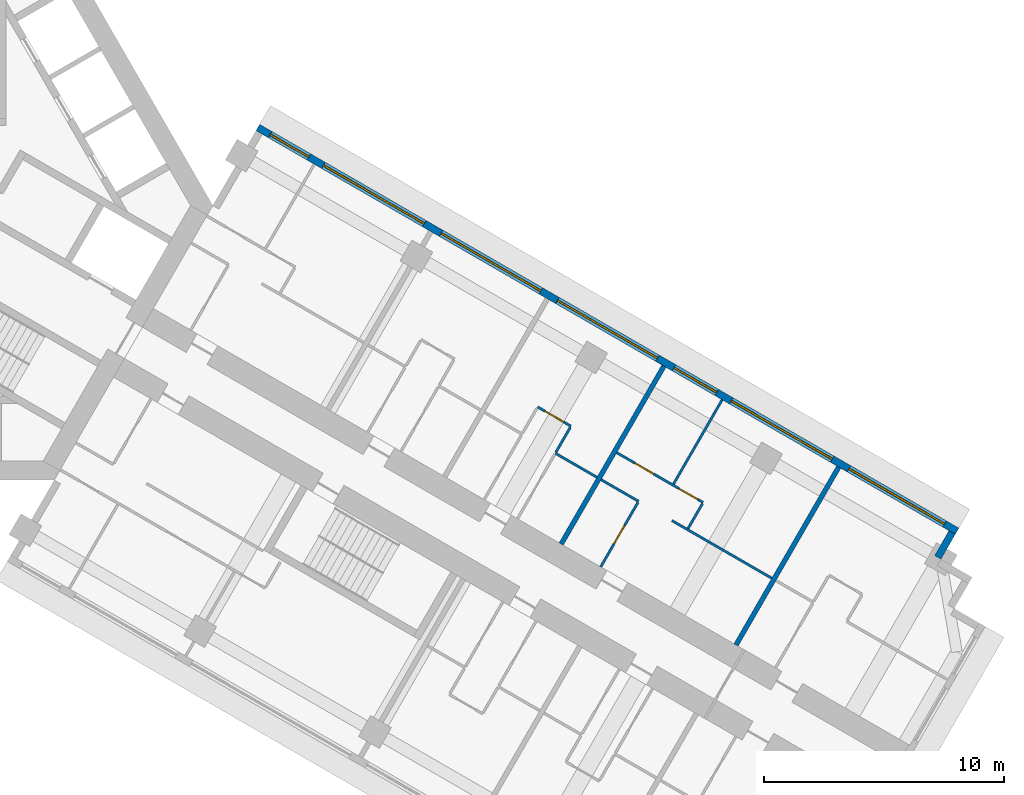
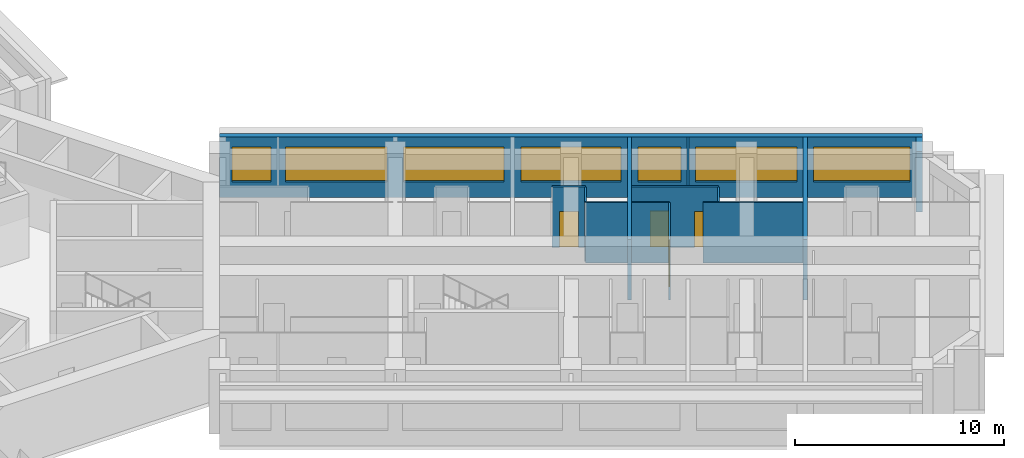
# One storey, part 11 of 13: 13 walls, 7 windows, 4 doors, 11 openings.
"""IFC4 building model written with IfcOpenShell, lengths in metres."""

from ifc_helpers import new_model, si_unit, direction, frame, frame_2d, origin, place, context, subcontext, project, spatial, rectangle, extrude, material, layer, layer_set, type_object, element, fill, save


model = new_model("IFC4")

# Units and contexts
model_context = context("Model", 3, precision=1e-05, world=origin(), true_north=direction((0.0, 1.0)))
body_context = subcontext(model_context, "Body", "Model", "MODEL_VIEW")
ifc_project = project(units=[si_unit("LENGTHUNIT", "METRE"), si_unit("AREAUNIT", "SQUARE_METRE"), si_unit("VOLUMEUNIT", "CUBIC_METRE"), si_unit("PLANEANGLEUNIT", "RADIAN"), si_unit("MASSUNIT", "GRAM", prefix="KILO")], contexts=[model_context])

# Site, building, storey
site_placement = place(None, origin())
site = spatial("IfcSite", under=ifc_project, at=site_placement, CompositionType="ELEMENT")
building_placement = place(site_placement, origin())
building = spatial("IfcBuilding", under=site, at=building_placement, Name="Impinga Residences", CompositionType="ELEMENT")
storey_placement = place(building_placement, frame((0.0, 0.0, 139.75)))
storey = spatial("IfcBuildingStorey", under=building, at=storey_placement, Name="L34", CompositionType="ELEMENT", Elevation=139.75)

# Wall
ifc_material_1 = material(Name="Terracotta rainscreen on blockwork", Category="masonry")
ifc_layer_1 = layer(ifc_material_1, 0.300048828125)
ifc_layer_set_1 = layer_set([ifc_layer_1], Name="EW1 external wall, terracotta rainscreen on blockwork 300")
wall_type_1 = type_object("IfcWallType", Name="EW1 external wall, terracotta rainscreen on blockwork 300", PredefinedType="SOLIDWALL", material=ifc_layer_set_1)
wall_1_placement = place(storey_placement, frame((43.968505859375, -13.607421875, 0.0), z_axis=(0.0, 0.0, 1.0), x_axis=(-0.500029051137, -0.866008630453, 0.0)))
element("IfcWall", 1, at=wall_1_placement, inside=storey, type_object=wall_type_1, Name="External wall EW1 L34", PredefinedType="SOLIDWALL", context=body_context, shape_type="SweptSolid", body=[
    extrude(rectangle(XDim=1.19482421875, YDim=0.300048828125, at=frame_2d((0.597412109375, 0.0))), origin(), (0.0, 0.0, 1.0), 3.530029296875),
])

# Wall, openings, windows
wall_2_placement = place(storey_placement, frame((15.074951171875, 3.24755859375, 0.0), z_axis=(0.0, 0.0, 1.0), x_axis=(0.866024291668, -0.500001926238, 0.0)))
wall_2 = element("IfcWall", 2, at=wall_2_placement, inside=storey, type_object=wall_type_1, Name="External wall EW1 L34", PredefinedType="SOLIDWALL", context=body_context, shape_type="SweptSolid", body=[
    extrude(rectangle(XDim=33.599853515625, YDim=0.300048828125, at=frame_2d((16.7998046875, 0.0))), origin(), (0.0, 0.0, 1.0), 3.530029296875),
])
opening_1_placement = place(wall_2_placement, frame((0.60009765625, 0.0, 0.89990234375)))
opening_1 = element("IfcOpeningElement", 3, at=opening_1_placement, cuts=wall_2, Name="Opening W15", PredefinedType="OPENING", context=body_context, shape_type="SweptSolid", body=[
    extrude(rectangle(XDim=1.85009765625, YDim=2.050048828125, at=frame_2d((0.925048828125, 1.02490234375))), frame((0.0, 0.159912109375, 0.0), z_axis=(0.0, -1.0, 0.0), x_axis=(1.0, 0.0, 0.0)), (0.0, 0.0, 1.0), 0.320068359375),
])
opening_2_placement = place(wall_2_placement, frame((3.14990234375, 0.0, 0.89990234375)))
opening_2 = element("IfcOpeningElement", 4, at=opening_2_placement, cuts=wall_2, Name="Opening W6", PredefinedType="OPENING", context=body_context, shape_type="SweptSolid", body=[
    extrude(rectangle(XDim=4.85009765625, YDim=2.050048828125, at=frame_2d((2.425048828125, 1.02490234375))), frame((0.0, 0.159912109375, 0.0), z_axis=(0.0, -1.0, 0.0), x_axis=(1.0, 0.0, 0.0)), (0.0, 0.0, 1.0), 0.320068359375),
])
opening_3_placement = place(wall_2_placement, frame((8.800048828125, 0.0, 0.89990234375)))
opening_3 = element("IfcOpeningElement", 5, at=opening_3_placement, cuts=wall_2, Name="Opening W8", PredefinedType="OPENING", context=body_context, shape_type="SweptSolid", body=[
    extrude(rectangle(XDim=4.800048828125, YDim=2.050048828125, at=frame_2d((2.39990234375, 1.02490234375))), frame((0.0, 0.159912109375, 0.0), z_axis=(0.0, -1.0, 0.0), x_axis=(1.0, 0.0, 0.0)), (0.0, 0.0, 1.0), 0.320068359375),
])
opening_4_placement = place(wall_2_placement, frame((14.39990234375, 0.0, 0.89990234375)))
opening_4 = element("IfcOpeningElement", 6, at=opening_4_placement, cuts=wall_2, Name="Opening W8", PredefinedType="OPENING", context=body_context, shape_type="SweptSolid", body=[
    extrude(rectangle(XDim=4.800048828125, YDim=2.050048828125, at=frame_2d((2.39990234375, 1.02490234375))), frame((0.0, 0.159912109375, 0.0), z_axis=(0.0, -1.0, 0.0), x_axis=(1.0, 0.0, 0.0)), (0.0, 0.0, 1.0), 0.320068359375),
])
opening_5_placement = place(wall_2_placement, frame((20.0, 0.0, 0.89990234375)))
opening_5 = element("IfcOpeningElement", 7, at=opening_5_placement, cuts=wall_2, Name="Opening W14", PredefinedType="OPENING", context=body_context, shape_type="SweptSolid", body=[
    extrude(rectangle(XDim=2.050048828125, YDim=2.050048828125, at=frame_2d((1.02490234375, 1.02490234375))), frame((0.0, 0.159912109375, 0.0), z_axis=(0.0, -1.0, 0.0), x_axis=(1.0, 0.0, 0.0)), (0.0, 0.0, 1.0), 0.320068359375),
])
opening_6_placement = place(wall_2_placement, frame((22.75, 0.0, 0.89990234375)))
opening_6 = element("IfcOpeningElement", 8, at=opening_6_placement, cuts=wall_2, Name="Opening W6", PredefinedType="OPENING", context=body_context, shape_type="SweptSolid", body=[
    extrude(rectangle(XDim=4.85009765625, YDim=2.050048828125, at=frame_2d((2.425048828125, 1.02490234375))), frame((0.0, 0.159912109375, 0.0), z_axis=(0.0, -1.0, 0.0), x_axis=(1.0, 0.0, 0.0)), (0.0, 0.0, 1.0), 0.320068359375),
])
opening_7_placement = place(wall_2_placement, frame((28.39990234375, 0.0, 0.89990234375)))
opening_7 = element("IfcOpeningElement", 9, at=opening_7_placement, cuts=wall_2, Name="Opening W3", PredefinedType="OPENING", context=body_context, shape_type="SweptSolid", body=[
    extrude(rectangle(XDim=4.60009765625, YDim=2.050048828125, at=frame_2d((2.300048828125, 1.02490234375))), frame((0.0, 0.159912109375, 0.0), z_axis=(0.0, -1.0, 0.0), x_axis=(1.0, 0.0, 0.0)), (0.0, 0.0, 1.0), 0.320068359375),
])
ifc_material_2 = material(Name="Aluminium window, clear double glazing", Category="aluminium")
window_type_1 = type_object("IfcWindowType", Name="W14 ribbon window 2050x2050", PartitioningType="SINGLE_PANEL", PredefinedType="WINDOW", material=ifc_material_2)
window_1_placement = place(opening_5_placement, origin())
window_1 = element("IfcWindow", 10, at=window_1_placement, inside=storey, type_object=window_type_1, Name="Window L34", OverallHeight=2.050048828125, OverallWidth=2.050048828125, PartitioningType="SINGLE_PANEL", PredefinedType="WINDOW", context=body_context, shape_type="SweptSolid", body=[
    extrude(rectangle(XDim=2.050048828125, YDim=2.050048828125, at=frame_2d((1.02490234375, 1.02490234375))), frame((0.0, 0.030029296875, 0.0), z_axis=(0.0, -1.0, 0.0), x_axis=(1.0, 0.0, 0.0)), (0.0, 0.0, 1.0), 0.06005859375),
])
fill(opening_5, window_1)
window_type_2 = type_object("IfcWindowType", Name="W15 ribbon window 1850x2050", PartitioningType="SINGLE_PANEL", PredefinedType="WINDOW", material=ifc_material_2)
window_2_placement = place(opening_1_placement, origin())
window_2 = element("IfcWindow", 11, at=window_2_placement, inside=storey, type_object=window_type_2, Name="Window L34", OverallHeight=2.050048828125, OverallWidth=1.85009765625, PartitioningType="SINGLE_PANEL", PredefinedType="WINDOW", context=body_context, shape_type="SweptSolid", body=[
    extrude(rectangle(XDim=1.85009765625, YDim=2.050048828125, at=frame_2d((0.925048828125, 1.02490234375))), frame((0.0, 0.030029296875, 0.0), z_axis=(0.0, -1.0, 0.0), x_axis=(1.0, 0.0, 0.0)), (0.0, 0.0, 1.0), 0.06005859375),
])
fill(opening_1, window_2)
window_type_3 = type_object("IfcWindowType", Name="W3 ribbon window 4600x2050", PartitioningType="SINGLE_PANEL", PredefinedType="WINDOW", material=ifc_material_2)
window_3_placement = place(opening_7_placement, origin())
window_3 = element("IfcWindow", 12, at=window_3_placement, inside=storey, type_object=window_type_3, Name="Window L34", OverallHeight=2.050048828125, OverallWidth=4.60009765625, PartitioningType="SINGLE_PANEL", PredefinedType="WINDOW", context=body_context, shape_type="SweptSolid", body=[
    extrude(rectangle(XDim=4.60009765625, YDim=2.050048828125, at=frame_2d((2.300048828125, 1.02490234375))), frame((0.0, 0.030029296875, 0.0), z_axis=(0.0, -1.0, 0.0), x_axis=(1.0, 0.0, 0.0)), (0.0, 0.0, 1.0), 0.06005859375),
])
fill(opening_7, window_3)
window_type_4 = type_object("IfcWindowType", Name="W6 ribbon window 4850x2050", PartitioningType="SINGLE_PANEL", PredefinedType="WINDOW", material=ifc_material_2)
window_4_placement = place(opening_2_placement, origin())
window_4 = element("IfcWindow", 13, at=window_4_placement, inside=storey, type_object=window_type_4, Name="Window L34", OverallHeight=2.050048828125, OverallWidth=4.85009765625, PartitioningType="SINGLE_PANEL", PredefinedType="WINDOW", context=body_context, shape_type="SweptSolid", body=[
    extrude(rectangle(XDim=4.85009765625, YDim=2.050048828125, at=frame_2d((2.425048828125, 1.02490234375))), frame((0.0, 0.030029296875, 0.0), z_axis=(0.0, -1.0, 0.0), x_axis=(1.0, 0.0, 0.0)), (0.0, 0.0, 1.0), 0.06005859375),
])
fill(opening_2, window_4)
window_5_placement = place(opening_6_placement, origin())
window_5 = element("IfcWindow", 14, at=window_5_placement, inside=storey, type_object=window_type_4, Name="Window L34", OverallHeight=2.050048828125, OverallWidth=4.85009765625, PartitioningType="SINGLE_PANEL", PredefinedType="WINDOW", context=body_context, shape_type="SweptSolid", body=[
    extrude(rectangle(XDim=4.85009765625, YDim=2.050048828125, at=frame_2d((2.425048828125, 1.02490234375))), frame((0.0, 0.030029296875, 0.0), z_axis=(0.0, -1.0, 0.0), x_axis=(1.0, 0.0, 0.0)), (0.0, 0.0, 1.0), 0.06005859375),
])
fill(opening_6, window_5)
window_type_5 = type_object("IfcWindowType", Name="W8 ribbon window 4800x2050", PartitioningType="SINGLE_PANEL", PredefinedType="WINDOW", material=ifc_material_2)
window_6_placement = place(opening_3_placement, origin())
window_6 = element("IfcWindow", 15, at=window_6_placement, inside=storey, type_object=window_type_5, Name="Window L34", OverallHeight=2.050048828125, OverallWidth=4.800048828125, PartitioningType="SINGLE_PANEL", PredefinedType="WINDOW", context=body_context, shape_type="SweptSolid", body=[
    extrude(rectangle(XDim=4.800048828125, YDim=2.050048828125, at=frame_2d((2.39990234375, 1.02490234375))), frame((0.0, 0.030029296875, 0.0), z_axis=(0.0, -1.0, 0.0), x_axis=(1.0, 0.0, 0.0)), (0.0, 0.0, 1.0), 0.06005859375),
])
fill(opening_3, window_6)
window_7_placement = place(opening_4_placement, origin())
window_7 = element("IfcWindow", 16, at=window_7_placement, inside=storey, type_object=window_type_5, Name="Window L34", OverallHeight=2.050048828125, OverallWidth=4.800048828125, PartitioningType="SINGLE_PANEL", PredefinedType="WINDOW", context=body_context, shape_type="SweptSolid", body=[
    extrude(rectangle(XDim=4.800048828125, YDim=2.050048828125, at=frame_2d((2.39990234375, 1.02490234375))), frame((0.0, 0.030029296875, 0.0), z_axis=(0.0, -1.0, 0.0), x_axis=(1.0, 0.0, 0.0)), (0.0, 0.0, 1.0), 0.06005859375),
])
fill(opening_4, window_7)

# Wall
ifc_material_3 = material(Name="Gypsum board on steel studs", Category="steel")
ifc_layer_2 = layer(ifc_material_3, 0.10009765625)
ifc_layer_set_2 = layer_set([ifc_layer_2], Name="Gypsum board on steel studs")
wall_type_2 = type_object("IfcWallType", Name="IP1 partition 100", PredefinedType="PARTITIONING", material=ifc_layer_set_2)
wall_3_placement = place(storey_placement, frame((27.45556640625, -10.308837890625, 0.0), z_axis=(0.0, 0.0, 1.0), x_axis=(0.866010750942, -0.50002537861, 0.0)))
element("IfcWall", 17, at=wall_3_placement, inside=storey, type_object=wall_type_2, Name="Partition L34-EA3:DIV1", PredefinedType="PARTITIONING", context=body_context, shape_type="SweptSolid", body=[
    extrude(rectangle(XDim=2.0, YDim=0.10009765625, at=frame_2d((1.0, 0.0))), origin(), (0.0, 0.0, 1.0), 3.530029296875),
])

# Wall, opening, door
wall_4_placement = place(storey_placement, frame((26.7197265625, -8.383056640625, 0.0), z_axis=(0.0, 0.0, 1.0), x_axis=(0.866028054938, -0.499995408039, 0.0)))
wall_4 = element("IfcWall", 18, at=wall_4_placement, inside=storey, type_object=wall_type_2, Name="Partition L34-EA3:STRIP", PredefinedType="PARTITIONING", context=body_context, shape_type="SweptSolid", body=[
    extrude(rectangle(XDim=1.60009765625, YDim=0.10009765625, at=frame_2d((0.800048828125, 0.0))), origin(), (0.0, 0.0, 1.0), 3.530029296875),
])
opening_8_placement = place(wall_4_placement, frame((0.35009765625, 0.0, 0.0)))
opening_8 = element("IfcOpeningElement", 19, at=opening_8_placement, cuts=wall_4, Name="Opening D2", PredefinedType="OPENING", context=body_context, shape_type="SweptSolid", body=[
    extrude(rectangle(XDim=0.89990234375, YDim=2.10009765625, at=frame_2d((0.449951171875, 1.050048828125))), frame((0.0, 0.06005859375, 0.0), z_axis=(0.0, -1.0, 0.0), x_axis=(1.0, 0.0, 0.0)), (0.0, 0.0, 1.0), 0.1201171875),
])
ifc_material_4 = material(Name="Timber door set", Category="wood")
door_type = type_object("IfcDoorType", Name="D2 internal door 900x2100", OperationType="SINGLE_SWING_LEFT", PredefinedType="DOOR", material=ifc_material_4)
door_1_placement = place(opening_8_placement, origin())
door_1 = element("IfcDoor", 20, at=door_1_placement, inside=storey, type_object=door_type, Name="Apartment L34-EA3 room door", OperationType="SINGLE_SWING_LEFT", OverallHeight=2.10009765625, OverallWidth=0.89990234375, PredefinedType="DOOR", context=body_context, shape_type="SweptSolid", body=[
    extrude(rectangle(XDim=0.89990234375, YDim=2.10009765625, at=frame_2d((0.449951171875, 1.050048828125))), frame((0.0, 0.02490234375, 0.0), z_axis=(0.0, -1.0, 0.0), x_axis=(1.0, 0.0, 0.0)), (0.0, 0.0, 1.0), 0.050048828125),
])
fill(opening_8, door_1)

# Walls
wall_5_placement = place(storey_placement, frame((27.48046875, -10.265625, 0.0), z_axis=(0.0, 0.0, 1.0), x_axis=(0.500033551112, 0.866006032174, 0.0)))
element("IfcWall", 21, at=wall_5_placement, inside=storey, type_object=wall_type_2, Name="Partition L34-EA3:SE1", PredefinedType="PARTITIONING", context=body_context, shape_type="SweptSolid", body=[
    extrude(rectangle(XDim=1.2001953125, YDim=0.10009765625, at=frame_2d((0.60009765625, 0.0))), origin(), (0.0, 0.0, 1.0), 3.530029296875),
])
wall_6_placement = place(storey_placement, frame((29.360595703125, -11.408935546875, 0.0), z_axis=(0.0, 0.0, 1.0), x_axis=(0.866047807691, -0.499961193289, 0.0)))
element("IfcWall", 22, at=wall_6_placement, inside=storey, type_object=wall_type_2, Name="Partition L34-EA4:DIV0", PredefinedType="PARTITIONING", context=body_context, shape_type="SweptSolid", body=[
    extrude(rectangle(XDim=1.800048828125, YDim=0.10009765625, at=frame_2d((0.89990234375, 0.0))), origin(), (0.0, 0.0, 1.0), 3.530029296875),
])
wall_7_placement = place(storey_placement, frame((32.30517578125, -13.10888671875, 0.0), z_axis=(0.0, 0.0, 1.0), x_axis=(0.866037363387, -0.499979284789, 0.0)))
element("IfcWall", 23, at=wall_7_placement, inside=storey, type_object=wall_type_2, Name="Partition L34-EA4:DIV1", PredefinedType="PARTITIONING", context=body_context, shape_type="SweptSolid", body=[
    extrude(rectangle(XDim=4.800048828125, YDim=0.10009765625, at=frame_2d((2.39990234375, 0.0))), origin(), (0.0, 0.0, 1.0), 3.530029296875),
])

# Wall, openings, doors
wall_8_placement = place(storey_placement, frame((30.0107421875, -10.282958984375, 0.0), z_axis=(0.0, 0.0, 1.0), x_axis=(0.86602981871, -0.499992353047, 0.0)))
wall_8 = element("IfcWall", 24, at=wall_8_placement, inside=storey, type_object=wall_type_2, Name="Partition L34-EA4:STRIP", PredefinedType="PARTITIONING", context=body_context, shape_type="SweptSolid", body=[
    extrude(rectangle(XDim=4.14990234375, YDim=0.10009765625, at=frame_2d((2.074951171875, 0.0))), origin(), (0.0, 0.0, 1.0), 3.530029296875),
])
opening_9_placement = place(wall_8_placement, frame((0.875, 0.0, 0.0)))
opening_9 = element("IfcOpeningElement", 25, at=opening_9_placement, cuts=wall_8, Name="Opening D2", PredefinedType="OPENING", context=body_context, shape_type="SweptSolid", body=[
    extrude(rectangle(XDim=0.89990234375, YDim=2.10009765625, at=frame_2d((0.449951171875, 1.050048828125))), frame((0.0, 0.06005859375, 0.0), z_axis=(0.0, -1.0, 0.0), x_axis=(1.0, 0.0, 0.0)), (0.0, 0.0, 1.0), 0.1201171875),
])
opening_10_placement = place(wall_8_placement, frame((3.0, 0.0, 0.0)))
opening_10 = element("IfcOpeningElement", 26, at=opening_10_placement, cuts=wall_8, Name="Opening D2", PredefinedType="OPENING", context=body_context, shape_type="SweptSolid", body=[
    extrude(rectangle(XDim=0.89990234375, YDim=2.10009765625, at=frame_2d((0.449951171875, 1.050048828125))), frame((0.0, 0.06005859375, 0.0), z_axis=(0.0, -1.0, 0.0), x_axis=(1.0, 0.0, 0.0)), (0.0, 0.0, 1.0), 0.1201171875),
])
door_2_placement = place(opening_9_placement, origin())
door_2 = element("IfcDoor", 27, at=door_2_placement, inside=storey, type_object=door_type, Name="Apartment L34-EA4 room door", OperationType="SINGLE_SWING_LEFT", OverallHeight=2.10009765625, OverallWidth=0.89990234375, PredefinedType="DOOR", context=body_context, shape_type="SweptSolid", body=[
    extrude(rectangle(XDim=0.89990234375, YDim=2.10009765625, at=frame_2d((0.449951171875, 1.050048828125))), frame((0.0, 0.02490234375, 0.0), z_axis=(0.0, -1.0, 0.0), x_axis=(1.0, 0.0, 0.0)), (0.0, 0.0, 1.0), 0.050048828125),
])
fill(opening_9, door_2)
door_3_placement = place(opening_10_placement, origin())
door_3 = element("IfcDoor", 28, at=door_3_placement, inside=storey, type_object=door_type, Name="Apartment L34-EA4 room door", OperationType="SINGLE_SWING_RIGHT", OverallHeight=2.10009765625, OverallWidth=0.89990234375, PredefinedType="DOOR", context=body_context, shape_type="SweptSolid", body=[
    extrude(rectangle(XDim=0.89990234375, YDim=2.10009765625, at=frame_2d((0.449951171875, 1.050048828125))), frame((0.0, 0.02490234375, 0.0), z_axis=(0.0, -1.0, 0.0), x_axis=(1.0, 0.0, 0.0)), (0.0, 0.0, 1.0), 0.050048828125),
])
fill(opening_10, door_3)

# Wall
wall_9_placement = place(storey_placement, frame((32.979736328125, -13.4404296875, 0.0), z_axis=(0.0, 0.0, 1.0), x_axis=(0.499969057507, 0.866043267704, 0.0)))
element("IfcWall", 29, at=wall_9_placement, inside=storey, type_object=wall_type_2, Name="Partition L34-EA4:SE1", PredefinedType="PARTITIONING", context=body_context, shape_type="SweptSolid", body=[
    extrude(rectangle(XDim=1.19970703125, YDim=0.10009765625, at=frame_2d((0.599853515625, 0.0))), origin(), (0.0, 0.0, 1.0), 3.530029296875),
])

# Wall, opening, door
wall_10_placement = place(storey_placement, frame((29.344482421875, -15.036865234375, 0.0), z_axis=(0.0, 0.0, 1.0), x_axis=(0.49999285859, 0.86602952684, 0.0)))
wall_10 = element("IfcWall", 30, at=wall_10_placement, inside=storey, type_object=wall_type_2, Name="Partition L34-EA4:IB1", PredefinedType="PARTITIONING", context=body_context, shape_type="SweptSolid", body=[
    extrude(rectangle(XDim=3.10009765625, YDim=0.10009765625, at=frame_2d((1.550048828125, 0.0))), origin(), (0.0, 0.0, 1.0), 3.530029296875),
])
opening_11_placement = place(wall_10_placement, frame((1.10009765625, 0.0, 0.0)))
opening_11 = element("IfcOpeningElement", 31, at=opening_11_placement, cuts=wall_10, Name="Opening D2", PredefinedType="OPENING", context=body_context, shape_type="SweptSolid", body=[
    extrude(rectangle(XDim=0.89990234375, YDim=2.10009765625, at=frame_2d((0.449951171875, 1.050048828125))), frame((0.0, 0.06005859375, 0.0), z_axis=(0.0, -1.0, 0.0), x_axis=(1.0, 0.0, 0.0)), (0.0, 0.0, 1.0), 0.1201171875),
])
door_4_placement = place(opening_11_placement, origin())
door_4 = element("IfcDoor", 32, at=door_4_placement, inside=storey, type_object=door_type, Name="Apartment L34-EA4 bathroom door", OperationType="SINGLE_SWING_LEFT", OverallHeight=2.10009765625, OverallWidth=0.89990234375, PredefinedType="DOOR", context=body_context, shape_type="SweptSolid", body=[
    extrude(rectangle(XDim=0.89990234375, YDim=2.10009765625, at=frame_2d((0.449951171875, 1.050048828125))), frame((0.0, 0.02490234375, 0.0), z_axis=(0.0, -1.0, 0.0), x_axis=(1.0, 0.0, 0.0)), (0.0, 0.0, 1.0), 0.050048828125),
])
fill(opening_11, door_4)

# Walls
wall_11_placement = place(storey_placement, frame((32.3740234375, -11.589599609375, 0.0), z_axis=(0.0, 0.0, 1.0), x_axis=(0.499990325971, 0.866030989016, 0.0)))
element("IfcWall", 33, at=wall_11_placement, inside=storey, type_object=wall_type_2, Name="Partition L34-EA4:OB1", PredefinedType="PARTITIONING", context=body_context, shape_type="SweptSolid", body=[
    extrude(rectangle(XDim=4.0498046875, YDim=0.10009765625, at=frame_2d((2.02490234375, 0.0))), origin(), (0.0, 0.0, 1.0), 3.530029296875),
])
ifc_material_5 = material(Name="Concrete blockwork", Category="masonry")
ifc_layer_3 = layer(ifc_material_5, 0.199951171875)
ifc_layer_set_3 = layer_set([ifc_layer_3], Name="PW1 party wall between apartments 200")
wall_type_3 = type_object("IfcWallType", Name="PW1 party wall between apartments 200", PredefinedType="SOLIDWALL", material=ifc_layer_set_3)
for number, where, z_axis, x_axis, name in (
    (34, (27.69921875, -14.0869140625, 0.0), (0.0, 0.0, 1.0), (0.499990227581, 0.86603104582, 0.0), "Party wall between apartments L34-EA3:PARTY"),
    (35, (34.9736328125, -18.286865234375, 0.0), (0.0, 0.0, 1.0), (0.500011643316, 0.866018681408, 0.0), "Party wall between apartments L34-EA4:PARTY"),
):
    element("IfcWall", number, at=place(storey_placement, frame(where, z_axis=z_axis, x_axis=x_axis)), inside=storey, type_object=wall_type_3, Name=name, PredefinedType="SOLIDWALL", context=body_context, shape_type="SweptSolid", body=[
        extrude(rectangle(XDim=8.550048828125, YDim=0.199951171875, at=frame_2d((4.27490234375, 0.0))), origin(), (0.0, 0.0, 1.0), 3.530029296875),
    ])

save(model, "model.ifc")
